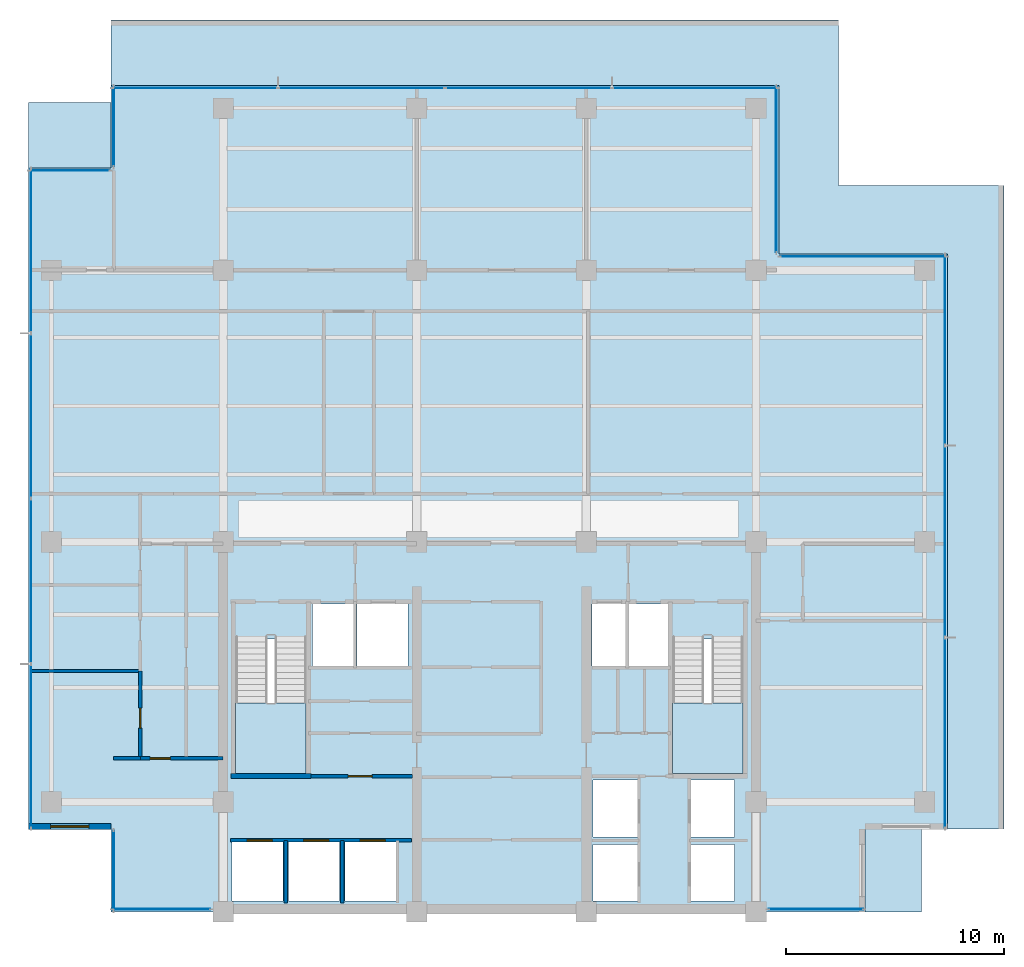
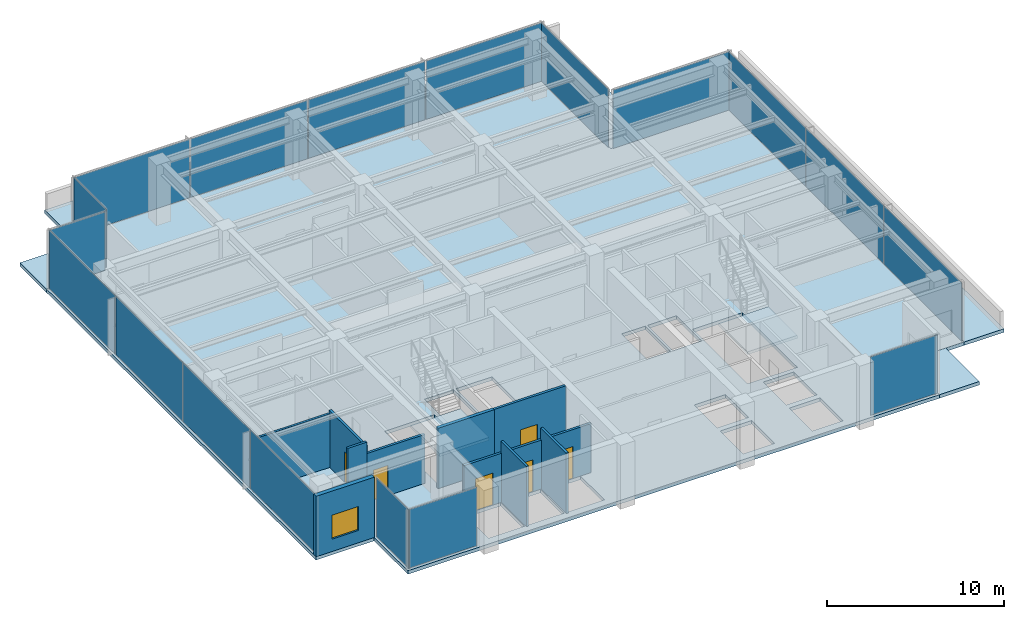
# One storey, part 6 of 14: 18 plates, 10 walls, 6 doors, 6 slabs, 1 window, 7 openings, 12 elements without a shape of their own.
"""IFC4 building model written with IfcOpenShell, lengths in metres."""

from ifc_helpers import new_model, si_unit, direction, frame, frame_2d, origin, origin_2d, place, context, subcontext, project, spatial, polyline, rectangle, outline, extrude, material, layer, layer_set, type_object, element, fill, aggregate, save


model = new_model("IFC4")

# Units and contexts
model_context = context("Model", 3, precision=1e-05, world=origin(), true_north=direction((0.0, 1.0)))
body_context = subcontext(model_context, "Body", "Model", "MODEL_VIEW")
ifc_project = project(units=[si_unit("LENGTHUNIT", "METRE"), si_unit("AREAUNIT", "SQUARE_METRE"), si_unit("VOLUMEUNIT", "CUBIC_METRE"), si_unit("PLANEANGLEUNIT", "RADIAN"), si_unit("MASSUNIT", "GRAM", prefix="KILO")], contexts=[model_context])

# Site, building, storey
site_placement = place(None, origin())
site = spatial("IfcSite", under=ifc_project, at=site_placement, CompositionType="ELEMENT")
building_placement = place(site_placement, origin())
building = spatial("IfcBuilding", under=site, at=building_placement, Name="Qalmaran Belvedere Hotel", CompositionType="ELEMENT")
storey_placement = place(building_placement, frame((0.0, 0.0, 192.5)))
storey = spatial("IfcBuildingStorey", under=building, at=storey_placement, Name="L48", CompositionType="ELEMENT", Elevation=192.5)

# Curtain wall, plate
ifc_material_1 = material(Name="Anodised Bronze Aluminium", Category="aluminium")
ifc_layer_1 = layer(ifc_material_1, 0.18994140625, Name="Anodised Bronze Aluminium")
ifc_layer_set_1 = layer_set([ifc_layer_1], Name="Anodised Bronze Aluminium")
curtain_wall_type = type_object("IfcCurtainWallType", Name="CW5-TOWER-UPPER", PredefinedType="NOTDEFINED", material=ifc_layer_set_1)
curtain_wall_1_placement = place(storey_placement, origin())
curtain_wall_1 = element("IfcCurtainWall", 1, at=curtain_wall_1_placement, inside=storey, type_object=curtain_wall_type, Name="L48 Curtain Wall CW5", PredefinedType="NOTDEFINED")
ifc_material_2 = material(Name="Solar-Control Double Glazing", Category="glass")
ifc_layer_2 = layer(ifc_material_2, 0.028076171875, Name="Solar-Control Double Glazing")
ifc_layer_set_2 = layer_set([ifc_layer_2], Name="Solar-Control Double Glazing")
plate_type = type_object("IfcPlateType", Name="CWP-VISION-28", PredefinedType="CURTAIN_PANEL", material=ifc_layer_set_2)
plate_1_placement = place(storey_placement, frame((17.467529296875, 3.6201171875, 0.06494140625), z_axis=(0.0, 0.0, 1.0), x_axis=(1.0, 0.0, 0.0)))
plate_1 = element("IfcPlate", 2, at=plate_1_placement, type_object=plate_type, Name="CW5 panel 1.1", PredefinedType="CURTAIN_PANEL", context=body_context, shape_type="SweptSolid", body=[
    extrude(rectangle(XDim=4.5048828125, YDim=0.028076171875, at=origin_2d()), origin(), (0.0, 0.0, 1.0), 4.030029296875),
])
aggregate(curtain_wall_1, [plate_1])

curtain_wall_2_placement = place(storey_placement, origin())
curtain_wall_2 = element("IfcCurtainWall", 3, at=curtain_wall_2_placement, inside=storey, type_object=curtain_wall_type, Name="L48 Curtain Wall CW5", PredefinedType="NOTDEFINED")
plate_2_placement = place(storey_placement, frame((47.5576171875, 3.6201171875, 0.06494140625), z_axis=(0.0, 0.0, 1.0), x_axis=(1.0, 0.0, 0.0)))
plate_2 = element("IfcPlate", 4, at=plate_2_placement, type_object=plate_type, Name="CW5 panel 1.1", PredefinedType="CURTAIN_PANEL", context=body_context, shape_type="SweptSolid", body=[
    extrude(rectangle(XDim=4.35498046875, YDim=0.028076171875, at=origin_2d()), origin(), (0.0, 0.0, 1.0), 4.030029296875),
])
aggregate(curtain_wall_2, [plate_2])

# Curtain wall, plates
curtain_wall_3_placement = place(storey_placement, origin())
curtain_wall_3 = element("IfcCurtainWall", 5, at=curtain_wall_3_placement, inside=storey, type_object=curtain_wall_type, Name="L48 Curtain Wall CW5", PredefinedType="NOTDEFINED")
plate_3_placement = place(storey_placement, frame((53.47998046875, 11.724609375, 0.06494140625), z_axis=(0.0, 0.0, 1.0), x_axis=(0.0, 1.0, 0.0)))
plate_3 = element("IfcPlate", 6, at=plate_3_placement, type_object=plate_type, Name="CW5 panel 1.1", PredefinedType="CURTAIN_PANEL", context=body_context, shape_type="SweptSolid", body=[
    extrude(rectangle(XDim=8.71923828125, YDim=0.028076171875, at=origin_2d()), origin(), (0.0, 0.0, 1.0), 4.030029296875),
])
plate_4_placement = place(storey_placement, frame((53.47998046875, 20.52490234375, 0.06494140625), z_axis=(0.0, 0.0, 1.0), x_axis=(0.0, 1.0, 0.0)))
plate_4 = element("IfcPlate", 7, at=plate_4_placement, type_object=plate_type, Name="CW5 panel 2.1", PredefinedType="CURTAIN_PANEL", context=body_context, shape_type="SweptSolid", body=[
    extrude(rectangle(XDim=8.751708984375, YDim=0.028076171875, at=origin_2d()), origin(), (0.0, 0.0, 1.0), 4.030029296875),
])
plate_5_placement = place(storey_placement, frame((53.47998046875, 29.325439453125, 0.06494140625), z_axis=(0.0, 0.0, 1.0), x_axis=(0.0, 1.0, 0.0)))
plate_5 = element("IfcPlate", 8, at=plate_5_placement, type_object=plate_type, Name="CW5 panel 3.1", PredefinedType="CURTAIN_PANEL", context=body_context, shape_type="SweptSolid", body=[
    extrude(rectangle(XDim=8.71923828125, YDim=0.028076171875, at=origin_2d()), origin(), (0.0, 0.0, 1.0), 4.030029296875),
])
aggregate(curtain_wall_3, [plate_3, plate_4, plate_5])

# Curtain wall, plate
curtain_wall_4_placement = place(storey_placement, origin())
curtain_wall_4 = element("IfcCurtainWall", 9, at=curtain_wall_4_placement, inside=storey, type_object=curtain_wall_type, Name="L48 Curtain Wall CW5", PredefinedType="NOTDEFINED")
plate_6_placement = place(storey_placement, frame((49.72509765625, 33.6298828125, 0.06494140625), z_axis=(0.0, 0.0, 1.0), x_axis=(-1.0, 0.0, 0.0)))
plate_6 = element("IfcPlate", 10, at=plate_6_placement, type_object=plate_type, Name="CW5 panel 1.1", PredefinedType="CURTAIN_PANEL", context=body_context, shape_type="SweptSolid", body=[
    extrude(rectangle(XDim=7.6201171875, YDim=0.028076171875, at=origin_2d()), origin(), (0.0, 0.0, 1.0), 4.030029296875),
])
aggregate(curtain_wall_4, [plate_6])

curtain_wall_5_placement = place(storey_placement, origin())
curtain_wall_5 = element("IfcCurtainWall", 11, at=curtain_wall_5_placement, inside=storey, type_object=curtain_wall_type, Name="L48 Curtain Wall CW5", PredefinedType="NOTDEFINED")
plate_7_placement = place(storey_placement, frame((45.72998046875, 37.625, 0.06494140625), z_axis=(0.0, 0.0, 1.0), x_axis=(0.0, 1.0, 0.0)))
plate_7 = element("IfcPlate", 12, at=plate_7_placement, type_object=plate_type, Name="CW5 panel 1.1", PredefinedType="CURTAIN_PANEL", context=body_context, shape_type="SweptSolid", body=[
    extrude(rectangle(XDim=7.6201171875, YDim=0.028076171875, at=origin_2d()), origin(), (0.0, 0.0, 1.0), 4.030029296875),
])
aggregate(curtain_wall_5, [plate_7])

# Curtain wall, plates
curtain_wall_6_placement = place(storey_placement, origin())
curtain_wall_6 = element("IfcCurtainWall", 13, at=curtain_wall_6_placement, inside=storey, type_object=curtain_wall_type, Name="L48 Curtain Wall CW5", PredefinedType="NOTDEFINED")
plate_8_placement = place(storey_placement, frame((41.996337890625, 41.3798828125, 0.06494140625), z_axis=(0.0, 0.0, 1.0), x_axis=(-1.0, 0.0, 0.0)))
plate_8 = element("IfcPlate", 14, at=plate_8_placement, type_object=plate_type, Name="CW5 panel 1.1", PredefinedType="CURTAIN_PANEL", context=body_context, shape_type="SweptSolid", body=[
    extrude(rectangle(XDim=7.577392578125, YDim=0.028076171875, at=origin_2d()), origin(), (0.0, 0.0, 1.0), 4.030029296875),
])
plate_9_placement = place(storey_placement, frame((34.33740234375, 41.3798828125, 0.06494140625), z_axis=(0.0, 0.0, 1.0), x_axis=(-1.0, 0.0, 0.0)))
plate_9 = element("IfcPlate", 15, at=plate_9_placement, type_object=plate_type, Name="CW5 panel 2.1", PredefinedType="CURTAIN_PANEL", context=body_context, shape_type="SweptSolid", body=[
    extrude(rectangle(XDim=7.610107421875, YDim=0.028076171875, at=origin_2d()), origin(), (0.0, 0.0, 1.0), 4.030029296875),
])
plate_10_placement = place(storey_placement, frame((26.66259765625, 41.3798828125, 0.06494140625), z_axis=(0.0, 0.0, 1.0), x_axis=(-1.0, 0.0, 0.0)))
plate_10 = element("IfcPlate", 16, at=plate_10_placement, type_object=plate_type, Name="CW5 panel 3.1", PredefinedType="CURTAIN_PANEL", context=body_context, shape_type="SweptSolid", body=[
    extrude(rectangle(XDim=7.610107421875, YDim=0.028076171875, at=origin_2d()), origin(), (0.0, 0.0, 1.0), 4.030029296875),
])
plate_11_placement = place(storey_placement, frame((19.003662109375, 41.3798828125, 0.06494140625), z_axis=(0.0, 0.0, 1.0), x_axis=(-1.0, 0.0, 0.0)))
plate_11 = element("IfcPlate", 17, at=plate_11_placement, type_object=plate_type, Name="CW5 panel 4.1", PredefinedType="CURTAIN_PANEL", context=body_context, shape_type="SweptSolid", body=[
    extrude(rectangle(XDim=7.577392578125, YDim=0.028076171875, at=origin_2d()), origin(), (0.0, 0.0, 1.0), 4.030029296875),
])
aggregate(curtain_wall_6, [plate_8, plate_9, plate_10, plate_11])

# Curtain wall, plate
curtain_wall_7_placement = place(storey_placement, origin())
curtain_wall_7 = element("IfcCurtainWall", 18, at=curtain_wall_7_placement, inside=storey, type_object=curtain_wall_type, Name="L48 Curtain Wall CW5", PredefinedType="NOTDEFINED")
plate_12_placement = place(storey_placement, frame((15.27001953125, 39.60009765625, 0.06494140625), z_axis=(0.0, 0.0, 1.0), x_axis=(0.0, -1.0, 0.0)))
plate_12 = element("IfcPlate", 19, at=plate_12_placement, type_object=plate_type, Name="CW5 panel 1.1", PredefinedType="CURTAIN_PANEL", context=body_context, shape_type="SweptSolid", body=[
    extrude(rectangle(XDim=3.669921875, YDim=0.028076171875, at=origin_2d()), origin(), (0.0, 0.0, 1.0), 4.030029296875),
])
aggregate(curtain_wall_7, [plate_12])

curtain_wall_8_placement = place(storey_placement, origin())
curtain_wall_8 = element("IfcCurtainWall", 20, at=curtain_wall_8_placement, inside=storey, type_object=curtain_wall_type, Name="L48 Curtain Wall CW5", PredefinedType="NOTDEFINED")
plate_13_placement = place(storey_placement, frame((13.25, 37.580078125, 0.06494140625), z_axis=(0.0, 0.0, 1.0), x_axis=(-1.0, 0.0, 0.0)))
plate_13 = element("IfcPlate", 21, at=plate_13_placement, type_object=plate_type, Name="CW5 panel 1.1", PredefinedType="CURTAIN_PANEL", context=body_context, shape_type="SweptSolid", body=[
    extrude(rectangle(XDim=3.669921875, YDim=0.028076171875, at=origin_2d()), origin(), (0.0, 0.0, 1.0), 4.030029296875),
])
aggregate(curtain_wall_8, [plate_13])

# Curtain wall, plates
curtain_wall_9_placement = place(storey_placement, origin())
curtain_wall_9 = element("IfcCurtainWall", 22, at=curtain_wall_9_placement, inside=storey, type_object=curtain_wall_type, Name="L48 Curtain Wall CW5", PredefinedType="NOTDEFINED")
plate_14_placement = place(storey_placement, frame((11.469970703125, 33.8837890625, 0.06494140625), z_axis=(0.0, 0.0, 1.0), x_axis=(0.0, -1.0, 0.0)))
plate_14 = element("IfcPlate", 23, at=plate_14_placement, type_object=plate_type, Name="CW5 panel 1.1", PredefinedType="CURTAIN_PANEL", context=body_context, shape_type="SweptSolid", body=[
    extrude(rectangle(XDim=7.50244140625, YDim=0.028076171875, at=origin_2d()), origin(), (0.0, 0.0, 1.0), 4.030029296875),
])
plate_15_placement = place(storey_placement, frame((11.469970703125, 26.300048828125, 0.06494140625), z_axis=(0.0, 0.0, 1.0), x_axis=(0.0, -1.0, 0.0)))
plate_15 = element("IfcPlate", 24, at=plate_15_placement, type_object=plate_type, Name="CW5 panel 2.1", PredefinedType="CURTAIN_PANEL", context=body_context, shape_type="SweptSolid", body=[
    extrude(rectangle(XDim=7.534912109375, YDim=0.028076171875, at=origin_2d()), origin(), (0.0, 0.0, 1.0), 4.030029296875),
])
plate_16_placement = place(storey_placement, frame((11.469970703125, 18.699951171875, 0.06494140625), z_axis=(0.0, 0.0, 1.0), x_axis=(0.0, -1.0, 0.0)))
plate_16 = element("IfcPlate", 25, at=plate_16_placement, type_object=plate_type, Name="CW5 panel 3.1", PredefinedType="CURTAIN_PANEL", context=body_context, shape_type="SweptSolid", body=[
    extrude(rectangle(XDim=7.534912109375, YDim=0.028076171875, at=origin_2d()), origin(), (0.0, 0.0, 1.0), 4.030029296875),
])
plate_17_placement = place(storey_placement, frame((11.469970703125, 11.1162109375, 0.06494140625), z_axis=(0.0, 0.0, 1.0), x_axis=(0.0, -1.0, 0.0)))
plate_17 = element("IfcPlate", 26, at=plate_17_placement, type_object=plate_type, Name="CW5 panel 4.1", PredefinedType="CURTAIN_PANEL", context=body_context, shape_type="SweptSolid", body=[
    extrude(rectangle(XDim=7.50244140625, YDim=0.028076171875, at=origin_2d()), origin(), (0.0, 0.0, 1.0), 4.030029296875),
])
aggregate(curtain_wall_9, [plate_14, plate_15, plate_16, plate_17])

# Curtain wall, plate
curtain_wall_10_placement = place(storey_placement, origin())
curtain_wall_10 = element("IfcCurtainWall", 27, at=curtain_wall_10_placement, inside=storey, type_object=curtain_wall_type, Name="L48 Curtain Wall CW5", PredefinedType="NOTDEFINED")
plate_18_placement = place(storey_placement, frame((15.27001953125, 5.39990234375, 0.06494140625), z_axis=(0.0, 0.0, 1.0), x_axis=(0.0, -1.0, 0.0)))
plate_18 = element("IfcPlate", 28, at=plate_18_placement, type_object=plate_type, Name="CW5 panel 1.1", PredefinedType="CURTAIN_PANEL", context=body_context, shape_type="SweptSolid", body=[
    extrude(rectangle(XDim=3.669921875, YDim=0.028076171875, at=origin_2d()), origin(), (0.0, 0.0, 1.0), 4.030029296875),
])
aggregate(curtain_wall_10, [plate_18])

# Slabs
ifc_material_3 = material(Name="Concrete C40/50", Category="concrete")
ifc_layer_3 = layer(ifc_material_3, 0.239990234375, Name="Concrete C40/50")
ifc_layer_set_3 = layer_set([ifc_layer_3], Name="Concrete C40/50")
slab_type_1 = type_object("IfcSlabType", Name="SLB-SROOF-240", PredefinedType="ROOF", material=ifc_layer_set_3)
slab_1_placement = place(storey_placement, frame((0.0, 0.0, -0.239990234375)))
element("IfcSlab", 29, at=slab_1_placement, inside=storey, type_object=slab_type_1, Name="L48 Stepped Roof Cap 1", PredefinedType="ROOF", context=body_context, shape_type="SweptSolid", body=[
    extrude(outline(polyline([(52.39990234375, 3.5), (49.800048828125, 3.5), (49.800048828125, 7.300048828125), (52.39990234375, 7.300048828125), (52.39990234375, 3.5)])), origin(), (0.0, 0.0, 1.0), 0.239990234375),
])
slab_2_placement = place(storey_placement, frame((0.0, 0.0, -0.239990234375)))
element("IfcSlab", 30, at=slab_2_placement, inside=storey, type_object=slab_type_1, Name="L48 Stepped Roof Cap 2", PredefinedType="ROOF", context=body_context, shape_type="SweptSolid", body=[
    extrude(outline(polyline([(15.14990234375, 44.5), (48.60009765625, 44.5), (48.60009765625, 36.89990234375), (56.199951171875, 36.89990234375), (56.199951171875, 7.300048828125), (53.60009765625, 7.300048828125), (53.60009765625, 33.75), (45.85009765625, 33.75), (45.85009765625, 41.5), (15.14990234375, 41.5), (15.14990234375, 44.5)])), origin(), (0.0, 0.0, 1.0), 0.239990234375),
])
slab_3_placement = place(storey_placement, frame((0.0, 0.0, -0.239990234375)))
element("IfcSlab", 31, at=slab_3_placement, inside=storey, type_object=slab_type_1, Name="L48 Stepped Roof Cap 3", PredefinedType="ROOF", context=body_context, shape_type="SweptSolid", body=[
    extrude(outline(polyline([(11.35009765625, 40.699951171875), (15.14990234375, 40.699951171875), (15.14990234375, 37.699951171875), (11.35009765625, 37.699951171875), (11.35009765625, 40.699951171875)])), origin(), (0.0, 0.0, 1.0), 0.239990234375),
])

# Stair, slab
stair_type_1 = type_object("IfcStairType", Name="STR-ST-1-1450-R1833", PredefinedType="HALF_TURN_STAIR", material=ifc_material_3)
stair_1_placement = place(storey_placement, origin())
stair_1 = element("IfcStair", 32, at=stair_1_placement, inside=storey, type_object=stair_type_1, Name="L48 West Core Exit Stair ST-1", PredefinedType="HALF_TURN_STAIR")
ifc_layer_4 = layer(ifc_material_3, 0.199951171875, Name="Concrete C40/50")
ifc_layer_set_4 = layer_set([ifc_layer_4], Name="Concrete C40/50")
slab_type_2 = type_object("IfcSlabType", Name="SLB-STAIR-LANDING-200", PredefinedType="LANDING", material=ifc_layer_set_4)
slab_4_placement = place(storey_placement, frame((0.0, 0.0, 2.0)))
slab_4 = element("IfcSlab", 33, at=slab_4_placement, type_object=slab_type_2, Name="ST-1 landing 1", PredefinedType="LANDING", context=body_context, shape_type="SweptSolid", body=[
    extrude(outline(polyline([(20.8798828125, 13.110107421875), (20.8798828125, 9.85009765625), (24.1201171875, 9.85009765625), (24.1201171875, 13.110107421875), (20.8798828125, 13.110107421875)])), origin(), (0.0, 0.0, 1.0), 0.199951171875),
])
aggregate(stair_1, [slab_4])

stair_type_2 = type_object("IfcStairType", Name="STR-ST-2-1450-R1833", PredefinedType="HALF_TURN_STAIR", material=ifc_material_3)
stair_2_placement = place(storey_placement, origin())
stair_2 = element("IfcStair", 34, at=stair_2_placement, inside=storey, type_object=stair_type_2, Name="L48 East Core Exit Stair ST-2", PredefinedType="HALF_TURN_STAIR")
slab_5_placement = place(storey_placement, frame((0.0, 0.0, 2.0)))
slab_5 = element("IfcSlab", 35, at=slab_5_placement, type_object=slab_type_2, Name="ST-2 landing 1", PredefinedType="LANDING", context=body_context, shape_type="SweptSolid", body=[
    extrude(outline(polyline([(40.9599609375, 13.110107421875), (40.9599609375, 9.85009765625), (44.199951171875, 9.85009765625), (44.199951171875, 13.110107421875), (40.9599609375, 13.110107421875)])), origin(), (0.0, 0.0, 1.0), 0.199951171875),
])
aggregate(stair_2, [slab_5])

# Slab
ifc_layer_5 = layer(ifc_material_3, 0.239990234375, Name="Concrete C40/50")
ifc_layer_set_5 = layer_set([ifc_layer_5], Name="Concrete C40/50")
slab_type_3 = type_object("IfcSlabType", Name="SLB-Z4-240", PredefinedType="FLOOR", material=ifc_layer_set_5)
slab_6_placement = place(storey_placement, frame((0.0, 0.0, -0.239990234375)))
element("IfcSlab", 36, at=slab_6_placement, inside=storey, type_object=slab_type_3, Name="L48 Structural Floor Slab", PredefinedType="FLOOR", context=body_context, shape_type="SweptSolid", body=[
    extrude(outline(polyline([(15.14990234375, 3.5), (49.800048828125, 3.5), (49.800048828125, 7.300048828125), (53.60009765625, 7.300048828125), (53.60009765625, 33.75), (45.85009765625, 33.75), (45.85009765625, 41.5), (15.14990234375, 41.5), (15.14990234375, 37.699951171875), (11.35009765625, 37.699951171875), (11.35009765625, 7.300048828125), (15.14990234375, 7.300048828125), (15.14990234375, 3.5)]), holes=[polyline([(20.8798828125, 9.85009765625), (24.1201171875, 9.85009765625), (24.1201171875, 16.0400390625), (20.8798828125, 16.0400390625), (20.8798828125, 9.85009765625)]), polyline([(40.9599609375, 9.85009765625), (44.199951171875, 9.85009765625), (44.199951171875, 16.0400390625), (40.9599609375, 16.0400390625), (40.9599609375, 9.85009765625)]), polyline([(37.300048828125, 4.0), (39.35009765625, 4.0), (39.35009765625, 6.60009765625), (37.300048828125, 6.60009765625), (37.300048828125, 4.0)]), polyline([(37.300048828125, 6.949951171875), (39.35009765625, 6.949951171875), (39.35009765625, 9.550048828125), (37.300048828125, 9.550048828125), (37.300048828125, 6.949951171875)]), polyline([(41.800048828125, 4.0), (43.800048828125, 4.0), (43.800048828125, 6.60009765625), (41.800048828125, 6.60009765625), (41.800048828125, 4.0)]), polyline([(41.800048828125, 6.949951171875), (43.800048828125, 6.949951171875), (43.800048828125, 9.550048828125), (41.800048828125, 9.550048828125), (41.800048828125, 6.949951171875)]), polyline([(20.699951171875, 4.0), (23.050048828125, 4.0), (23.050048828125, 6.699951171875), (20.699951171875, 6.699951171875), (20.699951171875, 4.0)]), polyline([(23.300048828125, 4.0), (25.64990234375, 4.0), (25.64990234375, 6.699951171875), (23.300048828125, 6.699951171875), (23.300048828125, 4.0)]), polyline([(25.89990234375, 4.0), (28.25, 4.0), (28.25, 6.699951171875), (25.89990234375, 6.699951171875), (25.89990234375, 4.0)]), polyline([(24.39990234375, 14.800048828125), (26.300048828125, 14.800048828125), (26.300048828125, 17.64990234375), (24.39990234375, 17.64990234375), (24.39990234375, 14.800048828125)]), polyline([(38.949951171875, 14.800048828125), (40.820068359375, 14.800048828125), (40.820068359375, 17.64990234375), (38.949951171875, 17.64990234375), (38.949951171875, 14.800048828125)]), polyline([(26.449951171875, 14.800048828125), (28.800048828125, 14.800048828125), (28.800048828125, 17.64990234375), (26.449951171875, 17.64990234375), (26.449951171875, 14.800048828125)]), polyline([(37.25, 14.800048828125), (38.800048828125, 14.800048828125), (38.800048828125, 17.64990234375), (37.25, 17.64990234375), (37.25, 14.800048828125)])]), origin(), (0.0, 0.0, 1.0), 0.239990234375),
])

# Wall, opening, window
ifc_material_4 = material(Name="Anodised Bronze Cladding")
ifc_layer_6 = layer(ifc_material_4, 0.280029296875, Name="Anodised Bronze Cladding")
ifc_layer_set_6 = layer_set([ifc_layer_6], Name="Anodised Bronze Cladding")
wall_type_1 = type_object("IfcWallType", Name="WL-EXT-BRNZ-280", PredefinedType="SOLIDWALL", material=ifc_layer_set_6)
wall_1_placement = place(storey_placement, frame((11.35009765625, 7.419921875, 0.0), z_axis=(0.0, 0.0, 1.0), x_axis=(1.0, 0.0, 0.0)))
wall_1 = element("IfcWall", 37, at=wall_1_placement, inside=storey, type_object=wall_type_1, Name="L48 Corner Notch Wall 10", PredefinedType="SOLIDWALL", context=body_context, shape_type="SweptSolid", body=[
    extrude(rectangle(XDim=3.7998046875, YDim=0.280029296875, at=frame_2d((1.89990234375, 0.0))), origin(), (0.0, 0.0, 1.0), 4.159912109375),
])
opening_1_placement = place(wall_1_placement, frame((1.02490234375, 0.0, 0.85009765625)))
opening_1 = element("IfcOpeningElement", 38, at=opening_1_placement, cuts=wall_1, Name="Opening W-N17", PredefinedType="OPENING", context=body_context, shape_type="SweptSolid", body=[
    extrude(rectangle(XDim=1.75, YDim=1.64990234375, at=frame_2d((0.875, 0.824951171875))), frame((0.0, 0.14990234375, 0.0), z_axis=(0.0, -1.0, 0.0), x_axis=(1.0, 0.0, 0.0)), (0.0, 0.0, 1.0), 0.300048828125),
])
window_type = type_object("IfcWindowType", Name="WN-NTC-1750X1650", PartitioningType="SINGLE_PANEL", PredefinedType="WINDOW", material=ifc_material_2)
window_placement = place(opening_1_placement, origin())
window = element("IfcWindow", 39, at=window_placement, inside=storey, type_object=window_type, Name="L48 Corner Notch Window 10", OverallHeight=1.64990234375, OverallWidth=1.75, PartitioningType="SINGLE_PANEL", PredefinedType="WINDOW", context=body_context, shape_type="SweptSolid", body=[
    extrude(rectangle(XDim=1.75, YDim=1.64990234375, at=frame_2d((0.875, 0.824951171875))), frame((0.0, 0.030029296875, 0.0), z_axis=(0.0, -1.0, 0.0), x_axis=(1.0, 0.0, 0.0)), (0.0, 0.0, 1.0), 0.06005859375),
])
fill(opening_1, window)

# Walls
ifc_material_5 = material(Name="Gypsum Stud Partition")
ifc_layer_7 = layer(ifc_material_5, 0.139892578125, Name="Gypsum Stud Partition")
ifc_layer_set_7 = layer_set([ifc_layer_7], Name="Gypsum Stud Partition")
wall_type_2 = type_object("IfcWallType", Name="WL-INT-140-NR", PredefinedType="PARTITIONING", material=ifc_layer_set_7)
wall_2_placement = place(storey_placement, frame((11.469970703125, 14.580078125, 0.0), z_axis=(0.0, 0.0, 1.0), x_axis=(1.0, 0.0, 0.0)))
element("IfcWall", 40, at=wall_2_placement, inside=storey, type_object=wall_type_2, Name="L48 Partition WL-L48-WC1", PredefinedType="PARTITIONING", context=body_context, shape_type="SweptSolid", body=[
    extrude(rectangle(XDim=5.030029296875, YDim=0.139892578125, at=frame_2d((2.51513671875, 0.0))), origin(), (0.0, 0.0, 1.0), 3.681884765625),
])
ifc_layer_8 = layer(ifc_material_5, 0.14990234375, Name="Gypsum Stud Partition")
ifc_layer_set_8 = layer_set([ifc_layer_8], Name="Gypsum Stud Partition")
wall_type_3 = type_object("IfcWallType", Name="WL-INT-150-EI120", PredefinedType="PARTITIONING", material=ifc_layer_set_8)
for number, where, z_axis, x_axis, name in (
    (41, (23.179931640625, 3.89990234375, 0.0), (0.0, 0.0, 1.0), (0.0, 1.0, 0.0), "L48 Partition WL-POM1-L48"),
    (42, (25.780029296875, 3.89990234375, 0.0), (0.0, 0.0, 1.0), (0.0, 1.0, 0.0), "L48 Partition WL-POM2-L48"),
):
    element("IfcWall", number, at=place(storey_placement, frame(where, z_axis=z_axis, x_axis=x_axis)), inside=storey, type_object=wall_type_3, Name=name, PredefinedType="PARTITIONING", context=body_context, shape_type="SweptSolid", body=[
        extrude(rectangle(XDim=2.880126953125, YDim=0.14990234375, at=frame_2d((1.43994140625, 0.0))), origin(), (0.0, 0.0, 1.0), 4.159912109375),
    ])

# Wall, openings, doors
ifc_layer_9 = layer(ifc_material_5, 0.159912109375, Name="Gypsum Stud Partition")
ifc_layer_set_9 = layer_set([ifc_layer_9], Name="Gypsum Stud Partition")
wall_type_4 = type_object("IfcWallType", Name="WL-INT-160-EI120", PredefinedType="PARTITIONING", material=ifc_layer_set_9)
wall_3_placement = place(storey_placement, frame((20.64990234375, 6.780029296875, 0.0), z_axis=(0.0, 0.0, 1.0), x_axis=(1.0, 0.0, 0.0)))
wall_3 = element("IfcWall", 43, at=wall_3_placement, inside=storey, type_object=wall_type_4, Name="L48 Partition WL-POS-L48", PredefinedType="PARTITIONING", context=body_context, shape_type="SweptSolid", body=[
    extrude(rectangle(XDim=8.300048828125, YDim=0.159912109375, at=frame_2d((4.14990234375, 0.0))), origin(), (0.0, 0.0, 1.0), 3.3720703125),
])
opening_2_placement = place(wall_3_placement, frame((0.75, 0.0, 0.0)))
opening_2 = element("IfcOpeningElement", 44, at=opening_2_placement, cuts=wall_3, Name="Opening LD-PO", PredefinedType="OPENING", context=body_context, shape_type="SweptSolid", body=[
    extrude(rectangle(XDim=1.14990234375, YDim=2.199951171875, at=frame_2d((0.574951171875, 1.10009765625))), frame((0.0, 0.08984375, 0.0), z_axis=(0.0, -1.0, 0.0), x_axis=(1.0, 0.0, 0.0)), (0.0, 0.0, 1.0), 0.179931640625),
])
opening_3_placement = place(wall_3_placement, frame((3.35009765625, 0.0, 0.0)))
opening_3 = element("IfcOpeningElement", 45, at=opening_3_placement, cuts=wall_3, Name="Opening LD-PO", PredefinedType="OPENING", context=body_context, shape_type="SweptSolid", body=[
    extrude(rectangle(XDim=1.14990234375, YDim=2.199951171875, at=frame_2d((0.574951171875, 1.10009765625))), frame((0.0, 0.08984375, 0.0), z_axis=(0.0, -1.0, 0.0), x_axis=(1.0, 0.0, 0.0)), (0.0, 0.0, 1.0), 0.179931640625),
])
opening_4_placement = place(wall_3_placement, frame((5.949951171875, 0.0, 0.0)))
opening_4 = element("IfcOpeningElement", 46, at=opening_4_placement, cuts=wall_3, Name="Opening LD-PO", PredefinedType="OPENING", context=body_context, shape_type="SweptSolid", body=[
    extrude(rectangle(XDim=1.14990234375, YDim=2.199951171875, at=frame_2d((0.574951171875, 1.10009765625))), frame((0.0, 0.08984375, 0.0), z_axis=(0.0, -1.0, 0.0), x_axis=(1.0, 0.0, 0.0)), (0.0, 0.0, 1.0), 0.179931640625),
])
door_type_1 = type_object("IfcDoorType", Name="DR-LIFT-PO-1150X2200", OperationType="DOUBLE_DOOR_SLIDING", PredefinedType="DOOR", material=ifc_material_1)
door_1_placement = place(opening_2_placement, origin())
door_1 = element("IfcDoor", 47, at=door_1_placement, inside=storey, type_object=door_type_1, Name="L48 PO1 Shuttle Landing Door", OperationType="DOUBLE_DOOR_SLIDING", OverallHeight=2.199951171875, OverallWidth=1.14990234375, PredefinedType="DOOR", context=body_context, shape_type="SweptSolid", body=[
    extrude(rectangle(XDim=1.14990234375, YDim=2.199951171875, at=frame_2d((0.574951171875, 1.10009765625))), frame((0.0, 0.02490234375, 0.0), z_axis=(0.0, -1.0, 0.0), x_axis=(1.0, 0.0, 0.0)), (0.0, 0.0, 1.0), 0.050048828125),
])
fill(opening_2, door_1)
door_2_placement = place(opening_3_placement, origin())
door_2 = element("IfcDoor", 48, at=door_2_placement, inside=storey, type_object=door_type_1, Name="L48 PO2 Shuttle Landing Door", OperationType="DOUBLE_DOOR_SLIDING", OverallHeight=2.199951171875, OverallWidth=1.14990234375, PredefinedType="DOOR", context=body_context, shape_type="SweptSolid", body=[
    extrude(rectangle(XDim=1.14990234375, YDim=2.199951171875, at=frame_2d((0.574951171875, 1.10009765625))), frame((0.0, 0.02490234375, 0.0), z_axis=(0.0, -1.0, 0.0), x_axis=(1.0, 0.0, 0.0)), (0.0, 0.0, 1.0), 0.050048828125),
])
fill(opening_3, door_2)
door_3_placement = place(opening_4_placement, origin())
door_3 = element("IfcDoor", 49, at=door_3_placement, inside=storey, type_object=door_type_1, Name="L48 PO3 Shuttle Landing Door", OperationType="DOUBLE_DOOR_SLIDING", OverallHeight=2.199951171875, OverallWidth=1.14990234375, PredefinedType="DOOR", context=body_context, shape_type="SweptSolid", body=[
    extrude(rectangle(XDim=1.14990234375, YDim=2.199951171875, at=frame_2d((0.574951171875, 1.10009765625))), frame((0.0, 0.02490234375, 0.0), z_axis=(0.0, -1.0, 0.0), x_axis=(1.0, 0.0, 0.0)), (0.0, 0.0, 1.0), 0.050048828125),
])
fill(opening_4, door_3)

# Wall, opening, door
wall_4_placement = place(storey_placement, frame((24.199951171875, 9.739990234375, 0.0), z_axis=(0.0, 0.0, 1.0), x_axis=(1.0, 0.0, 0.0)))
wall_4 = element("IfcWall", 50, at=wall_4_placement, inside=storey, type_object=wall_type_4, Name="L48 Partition WL-PON-L48", PredefinedType="PARTITIONING", context=body_context, shape_type="SweptSolid", body=[
    extrude(rectangle(XDim=4.800048828125, YDim=0.159912109375, at=frame_2d((2.39990234375, 0.0))), origin(), (0.0, 0.0, 1.0), 4.159912109375),
])
opening_5_placement = place(wall_4_placement, frame((1.85009765625, 0.0, 0.0)))
opening_5 = element("IfcOpeningElement", 51, at=opening_5_placement, cuts=wall_4, Name="Opening FD90", PredefinedType="OPENING", context=body_context, shape_type="SweptSolid", body=[
    extrude(rectangle(XDim=1.10009765625, YDim=2.14990234375, at=frame_2d((0.550048828125, 1.074951171875))), frame((0.0, 0.08984375, 0.0), z_axis=(0.0, -1.0, 0.0), x_axis=(1.0, 0.0, 0.0)), (0.0, 0.0, 1.0), 0.179931640625),
])
ifc_material_6 = material(Name="Steel S355JR", Category="steel")
door_type_2 = type_object("IfcDoorType", Name="DR-FD90-1100X2150", OperationType="NOTDEFINED", PredefinedType="DOOR", material=ifc_material_6)
door_4_placement = place(opening_5_placement, origin())
door_4 = element("IfcDoor", 52, at=door_4_placement, inside=storey, type_object=door_type_2, Name="L48 Shuttle Lobby Passage Door", OperationType="SINGLE_SWING_RIGHT", OverallHeight=2.14990234375, OverallWidth=1.10009765625, PredefinedType="DOOR", context=body_context, shape_type="SweptSolid", body=[
    extrude(rectangle(XDim=1.10009765625, YDim=2.14990234375, at=frame_2d((0.550048828125, 1.074951171875))), frame((0.0, 0.02490234375, 0.0), z_axis=(0.0, -1.0, 0.0), x_axis=(1.0, 0.0, 0.0)), (0.0, 0.0, 1.0), 0.050048828125),
])
fill(opening_5, door_4)

# Wall
ifc_layer_10 = layer(ifc_material_5, 0.159912109375, Name="Gypsum Stud Partition")
ifc_layer_set_10 = layer_set([ifc_layer_10], Name="Gypsum Stud Partition")
wall_type_5 = type_object("IfcWallType", Name="WL-INT-160-EI60", PredefinedType="PARTITIONING", material=ifc_layer_set_10)
wall_5_placement = place(storey_placement, frame((15.27001953125, 10.550048828125, 0.0), z_axis=(0.0, 0.0, 1.0), x_axis=(1.0, 0.0, 0.0)))
element("IfcWall", 53, at=wall_5_placement, inside=storey, type_object=wall_type_5, Name="L48 Partition WL-L48-WCS1", PredefinedType="PARTITIONING", context=body_context, shape_type="SweptSolid", body=[
    extrude(rectangle(XDim=1.22998046875, YDim=0.159912109375, at=frame_2d((0.614990234375, 0.0))), origin(), (0.0, 0.0, 1.0), 4.159912109375),
])

# Wall, opening, door
wall_6_placement = place(storey_placement, frame((16.5, 10.550048828125, 0.0), z_axis=(0.0, 0.0, 1.0), x_axis=(1.0, 0.0, 0.0)))
wall_6 = element("IfcWall", 54, at=wall_6_placement, inside=storey, type_object=wall_type_5, Name="L48 Partition WL-L48-WCS2", PredefinedType="PARTITIONING", context=body_context, shape_type="SweptSolid", body=[
    extrude(rectangle(XDim=3.800048828125, YDim=0.159912109375, at=frame_2d((1.89990234375, 0.0))), origin(), (0.0, 0.0, 1.0), 3.3720703125),
])
opening_6_placement = place(wall_6_placement, frame((1.369873046875, 0.0, 0.0), z_axis=(0.0, 0.0, 1.0), x_axis=(-1.0, 0.0, 0.0)))
opening_6 = element("IfcOpeningElement", 55, at=opening_6_placement, cuts=wall_6, Name="Opening FD60S1", PredefinedType="OPENING", context=body_context, shape_type="SweptSolid", body=[
    extrude(rectangle(XDim=0.919921875, YDim=2.080078125, at=frame_2d((0.4599609375, 1.0400390625))), frame((0.0, 0.08984375, 0.0), z_axis=(0.0, -1.0, 0.0), x_axis=(1.0, 0.0, 0.0)), (0.0, 0.0, 1.0), 0.179931640625),
])
ifc_material_7 = material(Name="Engineered Oak Veneer")
door_type_3 = type_object("IfcDoorType", Name="DR-FD60S-920X2080", OperationType="NOTDEFINED", PredefinedType="DOOR", material=ifc_material_7)
door_5_placement = place(opening_6_placement, origin())
door_5 = element("IfcDoor", 56, at=door_5_placement, inside=storey, type_object=door_type_3, Name="L48 Reading Lounge Door", OperationType="SINGLE_SWING_RIGHT", OverallHeight=2.080078125, OverallWidth=0.919921875, PredefinedType="DOOR", context=body_context, shape_type="SweptSolid", body=[
    extrude(rectangle(XDim=0.919921875, YDim=2.080078125, at=frame_2d((0.4599609375, 1.0400390625))), frame((0.0, 0.02490234375, 0.0), z_axis=(0.0, -1.0, 0.0), x_axis=(1.0, 0.0, 0.0)), (0.0, 0.0, 1.0), 0.050048828125),
])
fill(opening_6, door_5)

wall_7_placement = place(storey_placement, frame((16.5, 10.550048828125, 0.0), z_axis=(0.0, 0.0, 1.0), x_axis=(0.0, 1.0, 0.0)))
wall_7 = element("IfcWall", 57, at=wall_7_placement, inside=storey, type_object=wall_type_5, Name="L48 Partition WL-L48-WCC1", PredefinedType="PARTITIONING", context=body_context, shape_type="SweptSolid", body=[
    extrude(rectangle(XDim=4.030029296875, YDim=0.159912109375, at=frame_2d((2.01513671875, 0.0))), origin(), (0.0, 0.0, 1.0), 3.89794921875),
])
opening_7_placement = place(wall_7_placement, frame((1.39990234375, 0.0, 0.0)))
opening_7 = element("IfcOpeningElement", 58, at=opening_7_placement, cuts=wall_7, Name="Opening FD60S1", PredefinedType="OPENING", context=body_context, shape_type="SweptSolid", body=[
    extrude(rectangle(XDim=0.919921875, YDim=2.080078125, at=frame_2d((0.4599609375, 1.0400390625))), frame((0.0, 0.08984375, 0.0), z_axis=(0.0, -1.0, 0.0), x_axis=(1.0, 0.0, 0.0)), (0.0, 0.0, 1.0), 0.179931640625),
])
door_6_placement = place(opening_7_placement, origin())
door_6 = element("IfcDoor", 59, at=door_6_placement, inside=storey, type_object=door_type_3, Name="L48 Male WC Door", OperationType="SINGLE_SWING_LEFT", OverallHeight=2.080078125, OverallWidth=0.919921875, PredefinedType="DOOR", context=body_context, shape_type="SweptSolid", body=[
    extrude(rectangle(XDim=0.919921875, YDim=2.080078125, at=frame_2d((0.4599609375, 1.0400390625))), frame((0.0, 0.02490234375, 0.0), z_axis=(0.0, -1.0, 0.0), x_axis=(1.0, 0.0, 0.0)), (0.0, 0.0, 1.0), 0.050048828125),
])
fill(opening_7, door_6)

# Wall
ifc_material_8 = material(Name="Concrete C50/60", Category="concrete")
ifc_layer_11 = layer(ifc_material_8, 0.2099609375, Name="Concrete C50/60")
ifc_layer_set_11 = layer_set([ifc_layer_11], Name="Concrete C50/60")
wall_type_6 = type_object("IfcWallType", Name="WL-STAIR-210-C50", PredefinedType="SHEAR", material=ifc_layer_set_11)
wall_8_placement = place(storey_placement, frame((20.669921875, 9.7451171875, 0.0), z_axis=(0.0, 0.0, 1.0), x_axis=(1.0, 0.0, 0.0)))
element("IfcWall", 60, at=wall_8_placement, inside=storey, type_object=wall_type_6, Name="L48 Stair ST-1 South Bearing Wall", PredefinedType="SHEAR", context=body_context, shape_type="SweptSolid", body=[
    extrude(rectangle(XDim=3.66015625, YDim=0.2099609375, at=frame_2d((1.830078125, 0.0))), origin(), (0.0, 0.0, 1.0), 4.159912109375),
])

save(model, "model.ifc")
